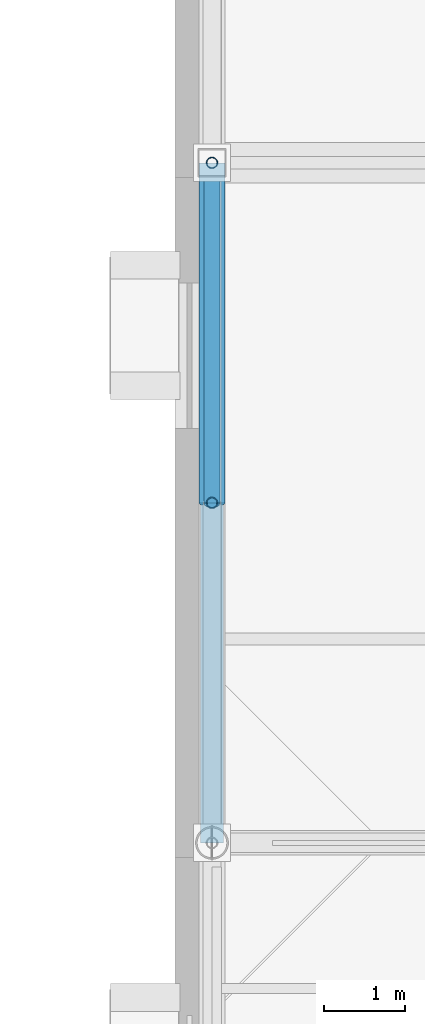
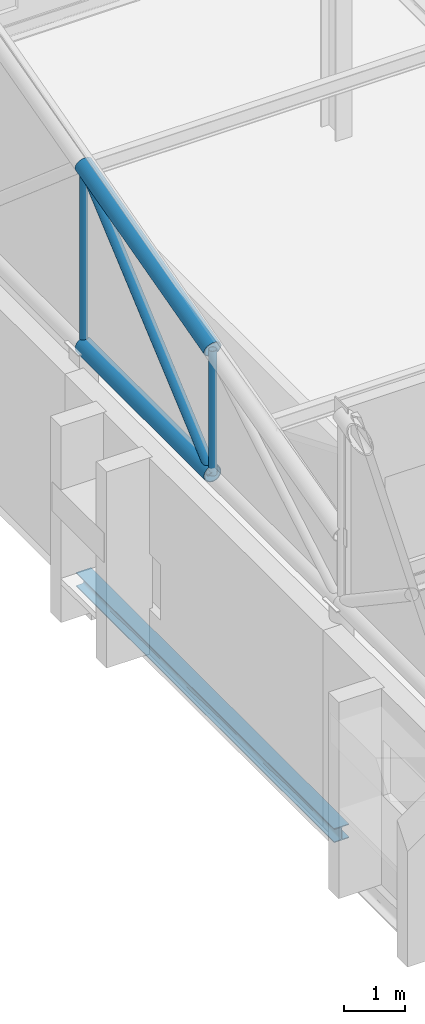
# One storey, part 16 of 89: 5 members, 1 beam.
"""IFC4 building model written with IfcOpenShell, lengths in metres."""

from ifc_helpers import new_model, si_unit, direction, frame, origin, origin_2d, place, context, subcontext, project, spatial, hollow_circle, i_section, extrude, material, material_profile, profile_set, type_object, element, save


model = new_model("IFC4")

# Units and contexts
model_context = context("Model", 3, precision=1e-05, world=origin(), true_north=direction((0.0, 1.0)))
body_context = subcontext(model_context, "Body", "Model", "MODEL_VIEW")
ifc_project = project(units=[si_unit("LENGTHUNIT", "METRE"), si_unit("AREAUNIT", "SQUARE_METRE"), si_unit("VOLUMEUNIT", "CUBIC_METRE"), si_unit("PLANEANGLEUNIT", "RADIAN"), si_unit("MASSUNIT", "GRAM", prefix="KILO")], contexts=[model_context])

# Site, building, storey
site_placement = place(None, origin())
site = spatial("IfcSite", under=ifc_project, at=site_placement, CompositionType="ELEMENT")
building_placement = place(site_placement, origin())
building = spatial("IfcBuilding", under=site, at=building_placement, Name="Zereglee Splitstone Museum", CompositionType="ELEMENT")
storey_placement = place(building_placement, frame((0.0, 0.0, 21.300048828125)))
storey = spatial("IfcBuildingStorey", under=building, at=storey_placement, Name="L04", CompositionType="ELEMENT", Elevation=21.300048828125)

# Members
ifc_material_1 = material(Name="Steel S355J2H", Category="steel")
ifc_material_profile_1 = material_profile(ifc_material_1, hollow_circle(Radius=0.096923828125, WallThickness=0.010009765625, at=origin_2d()), Name="CHS 193.7x10")
ifc_profile_set_1 = profile_set([ifc_material_profile_1], Name="Steel S355J2H")
member_type_1 = type_object("IfcMemberType", Name="TB-04", PredefinedType="BRACE", material=ifc_profile_set_1)
member_1_placement = place(storey_placement, frame((78.0, 25.800048828125, 4.199951171875), z_axis=(0.0, 0.759244140748, 0.650805911728), x_axis=(-1.0, 0.0, 0.0)))
element("IfcMember", 1, at=member_1_placement, inside=storey, type_object=member_type_1, Name="Roof Truss ST-01 Diagonal 2.2", PredefinedType="BRACE", context=body_context, shape_type="SweptSolid", body=[
    extrude(hollow_circle(Radius=0.096923828125, WallThickness=0.010009765625, at=origin_2d()), origin(), (0.0, 0.0, 1.0), 5.53173828125),
])
ifc_material_profile_2 = material_profile(ifc_material_1, hollow_circle(Radius=0.161865234375, WallThickness=0.01611328125, at=origin_2d()), Name="CHS 323.9x16")
ifc_profile_set_2 = profile_set([ifc_material_profile_2], Name="Steel S355J2H")
member_type_2 = type_object("IfcMemberType", Name="TC-05", PredefinedType="CHORD", material=ifc_profile_set_2)
member_2_placement = place(storey_placement, frame((78.0, 25.800048828125, 4.199951171875), z_axis=(0.0, 1.0, 0.0), x_axis=(-1.0, 0.0, 0.0)))
element("IfcMember", 2, at=member_2_placement, inside=storey, type_object=member_type_2, Name="Roof Truss ST-01 Bottom Chord 2.2", PredefinedType="CHORD", context=body_context, shape_type="SweptSolid", body=[
    extrude(hollow_circle(Radius=0.161865234375, WallThickness=0.01611328125, at=origin_2d()), origin(), (0.0, 0.0, 1.0), 4.199951171875),
])
member_3_placement = place(storey_placement, frame((78.0, 25.800048828125, 6.675048828125), z_axis=(0.0, 0.965947299715, 0.258738891884), x_axis=(-1.0, 0.0, 0.0)))
element("IfcMember", 3, at=member_3_placement, inside=storey, type_object=member_type_2, Name="Roof Truss ST-01 Top Chord 2.2", PredefinedType="CHORD", context=body_context, shape_type="SweptSolid", body=[
    extrude(hollow_circle(Radius=0.161865234375, WallThickness=0.01611328125, at=origin_2d()), origin(), (0.0, 0.0, 1.0), 4.347900390625),
])
ifc_material_profile_3 = material_profile(ifc_material_1, hollow_circle(Radius=0.06982421875, WallThickness=0.008056640625, at=origin_2d()), Name="CHS 139.7x8")
ifc_profile_set_3 = profile_set([ifc_material_profile_3], Name="Steel S355J2H")
member_type_3 = type_object("IfcMemberType", Name="TP-03", PredefinedType="POST", material=ifc_profile_set_3)
member_4_placement = place(storey_placement, frame((78.0, 25.800048828125, 4.199951171875), z_axis=(0.0, 0.0, 1.0), x_axis=(1.0, 0.0, 0.0)))
element("IfcMember", 4, at=member_4_placement, inside=storey, type_object=member_type_3, Name="Roof Truss ST-01 Post 2.1", PredefinedType="POST", context=body_context, shape_type="SweptSolid", body=[
    extrude(hollow_circle(Radius=0.06982421875, WallThickness=0.008056640625, at=origin_2d()), origin(), (0.0, 0.0, 1.0), 2.47509765625),
])
member_5_placement = place(storey_placement, frame((78.0, 30.0, 4.199951171875), z_axis=(0.0, 0.0, 1.0), x_axis=(1.0, 0.0, 0.0)))
element("IfcMember", 5, at=member_5_placement, inside=storey, type_object=member_type_3, Name="Roof Truss ST-01 Post 2.2", PredefinedType="POST", context=body_context, shape_type="SweptSolid", body=[
    extrude(hollow_circle(Radius=0.06982421875, WallThickness=0.008056640625, at=origin_2d()), origin(), (0.0, 0.0, 1.0), 3.60009765625),
])

# Beam
ifc_material_2 = material(Name="Steel S355J2", Category="steel")
ifc_material_profile_4 = material_profile(ifc_material_2, i_section(OverallWidth=0.280029296875, OverallDepth=0.280029296875, WebThickness=0.010498046875, FlangeThickness=0.01806640625, FilletRadius=0.02392578125, at=origin_2d()), Name="HE 280 B")
ifc_profile_set_4 = profile_set([ifc_material_profile_4], Name="Steel S355J2")
beam_type = type_object("IfcBeamType", Name="SP-03", PredefinedType="SPANDREL", material=ifc_profile_set_4)
beam_placement = place(storey_placement, frame((78.0, 21.60009765625, -0.400146484375), z_axis=(0.0, 1.0, 0.0), x_axis=(-1.0, 0.0, 0.0)))
element("IfcBeam", 6, at=beam_placement, inside=storey, type_object=beam_type, Name="Primary Girder L04 10 (21.6-30.0)", PredefinedType="SPANDREL", context=body_context, shape_type="SweptSolid", body=[
    extrude(i_section(OverallWidth=0.280029296875, OverallDepth=0.280029296875, WebThickness=0.010498046875, FlangeThickness=0.01806640625, FilletRadius=0.02392578125, at=origin_2d()), origin(), (0.0, 0.0, 1.0), 8.39990234375),
])

save(model, "model.ifc")
